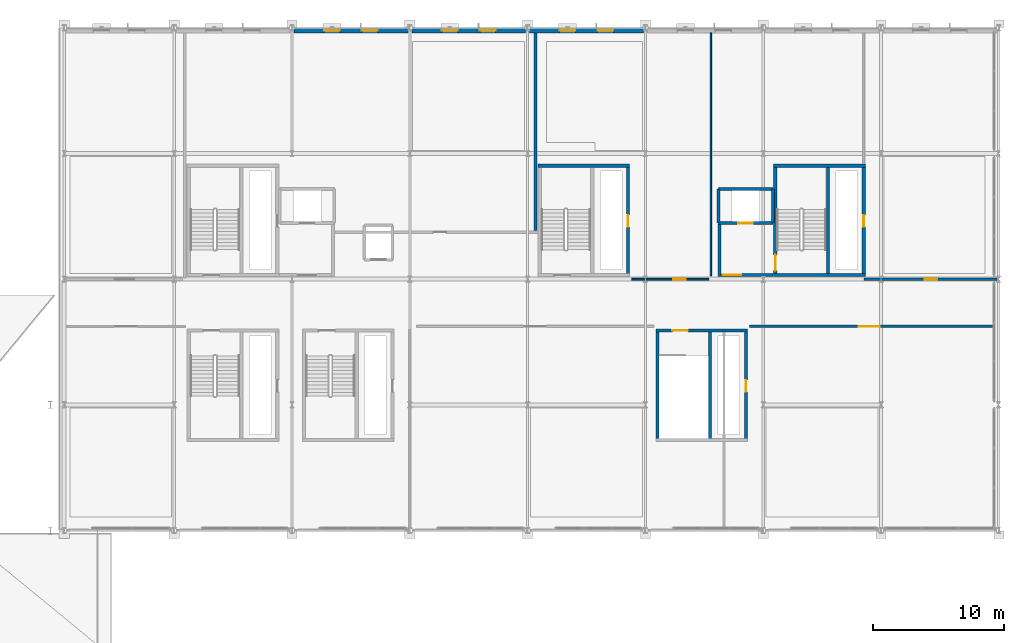
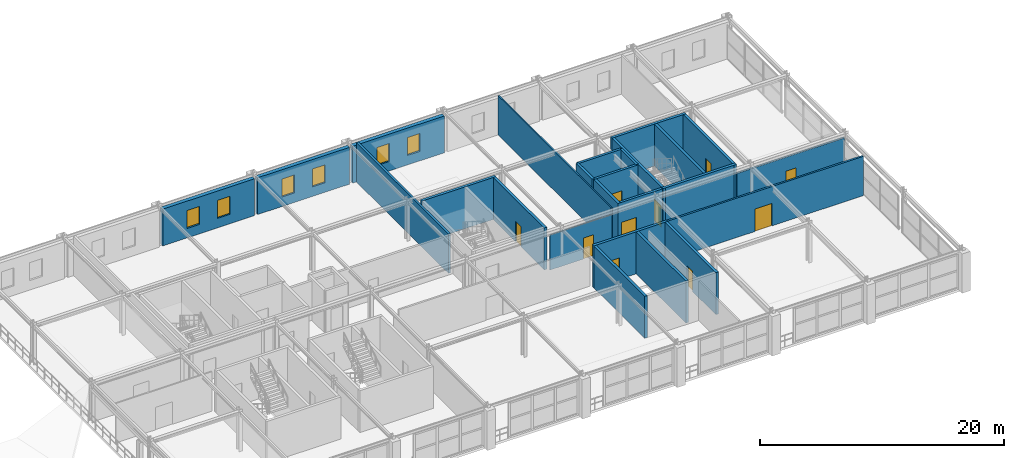
# One storey, part 52 of 81: 25 walls, 10 doors, 6 windows, 16 openings.
"""IFC4 building model written with IfcOpenShell, lengths in metres."""

import ifcopenshell
import ifcopenshell.guid

model = None  # the IFC model being written
_history = None  # IfcOwnerHistory: only IFC2X3 demands one
_inside = {}  # id of a spatial element -> (the spatial element, [elements in it])
_under = {}  # id of a project, library or spatial element -> (it, [spatial elements below it])
_declared = {}  # id of a project -> (the project, [libraries it declares])
_typed = {}  # id of a type object -> (the type object, [elements of that type])
_made_of = {}  # id of a material, layer set ... -> (it, [elements and type objects made of it])


def new_model(schema):
    """Start an empty IFC model of exactly this schema.

    Asked for "IFC4X3", IfcOpenShell would pick the latest addendum, in which some entities
    have other attributes; the version numbers below select the first issue.
    IFC2X3 requires an IfcOwnerHistory on every rooted entity: one is made here for all.
    """
    global model, _history
    if schema == "IFC4X3":
        model = ifcopenshell.file(schema_version=(4, 3, 0, 0))
    else:
        model = ifcopenshell.file(schema=schema)
    _inside.clear()
    _under.clear()
    _declared.clear()
    _typed.clear()
    _made_of.clear()
    _history = None
    if model.schema == "IFC2X3":
        org = make("IfcOrganization", Name="unknown")
        user = make(
            "IfcPersonAndOrganization",
            ThePerson=make("IfcPerson", FamilyName="unknown"),
            TheOrganization=org,
        )
        app = make(
            "IfcApplication",
            ApplicationDeveloper=org,
            Version="unknown",
            ApplicationFullName="unknown",
            ApplicationIdentifier="unknown",
        )
        _history = make(
            "IfcOwnerHistory",
            OwningUser=user,
            OwningApplication=app,
            ChangeAction="ADDED",
            CreationDate=0,
        )
    return model


def make(cls, **values):
    """One entity of the class cls with the attributes given. An attribute that is None is left unset."""
    return model.create_entity(
        cls, **{name: value for name, value in values.items() if value is not None}
    )


def rooted(cls, **values):
    """An entity with a GlobalId (a new one), such as an element, a storey or a relation."""
    return make(cls, GlobalId=ifcopenshell.guid.new(), OwnerHistory=_history, **values)


def si_unit(unit_type, name, prefix=None):
    """IfcSIUnit, for example si_unit("LENGTHUNIT", "METRE", prefix="MILLI")."""
    return make("IfcSIUnit", UnitType=unit_type, Prefix=prefix, Name=name)


def assignment(units):
    """IfcUnitAssignment: the units of a project."""
    return None if units is None else make("IfcUnitAssignment", Units=units)


def point(xyz):
    """IfcCartesianPoint."""
    return None if xyz is None else make("IfcCartesianPoint", Coordinates=xyz)


def direction(xyz):
    """IfcDirection."""
    return None if xyz is None else make("IfcDirection", DirectionRatios=xyz)


def frame(location, z_axis=None, x_axis=None):
    """IfcAxis2Placement3D, a coordinate frame: its origin and axes. An axis left out is left unset."""
    return make(
        "IfcAxis2Placement3D",
        Location=point(location),
        Axis=direction(z_axis),
        RefDirection=direction(x_axis),
    )


def frame_2d(location, x_axis=None):
    """IfcAxis2Placement2D, a coordinate frame in the plane: its origin and x axis."""
    return make(
        "IfcAxis2Placement2D", Location=point(location), RefDirection=direction(x_axis)
    )


def origin():
    """The frame at (0, 0, 0) with its axes left unset."""
    return frame((0.0, 0.0, 0.0))


def place(relative_to, where):
    """IfcLocalPlacement: puts the frame where relative to a parent placement (None: the world)."""
    return make(
        "IfcLocalPlacement", PlacementRelTo=relative_to, RelativePlacement=where
    )


def context(
    kind, dimensions, precision=None, world=None, true_north=None, identifier=None
):
    """IfcGeometricRepresentationContext, for example the 3D "Model" context."""
    return make(
        "IfcGeometricRepresentationContext",
        ContextIdentifier=identifier,
        ContextType=kind,
        CoordinateSpaceDimension=dimensions,
        Precision=precision,
        WorldCoordinateSystem=world,
        TrueNorth=true_north,
    )


def subcontext(parent, identifier, kind, view, scale=None):
    """IfcGeometricRepresentationSubContext, for example "Body" below "Model"."""
    return make(
        "IfcGeometricRepresentationSubContext",
        ContextIdentifier=identifier,
        ContextType=kind,
        ParentContext=parent,
        TargetScale=scale,
        TargetView=view,
    )


def project(units=None, contexts=None):
    """IfcProject with its units and contexts."""
    return rooted(
        "IfcProject",
        Name="project",
        RepresentationContexts=contexts,
        UnitsInContext=assignment(units),
    )


def spatial(cls, under=None, at=None, **own):
    """A site, building, storey or space (cls), placed at a placement, below another one or the project."""
    s = rooted(cls, ObjectPlacement=at, **own)
    if under is not None:
        _under.setdefault(under.id(), (under, []))[1].append(s)
    return s


def profile(cls, at=None, kind="AREA", **sizes):
    """A parametric profile (cls). Its sizes go by their IFC names, for example OverallWidth=200.0."""
    return make(cls, ProfileType=kind, Position=at, **sizes)


def rectangle(**sizes):
    """IfcRectangleProfileDef."""
    return profile("IfcRectangleProfileDef", **sizes)


def extrude(swept, where, along, depth):
    """IfcExtrudedAreaSolid: the profile swept, set in the frame where, extruded along a direction by depth."""
    return make(
        "IfcExtrudedAreaSolid",
        SweptArea=swept,
        Position=where,
        ExtrudedDirection=direction(along),
        Depth=depth,
    )


def shape(context_of_items, identifier, shape_type, items):
    """IfcShapeRepresentation: the items that make up one representation, for example the "Body"."""
    return make(
        "IfcShapeRepresentation",
        ContextOfItems=context_of_items,
        RepresentationIdentifier=identifier,
        RepresentationType=shape_type,
        Items=items,
    )


def material(Name=None, Category=None):
    """IfcMaterial."""
    return make("IfcMaterial", Name=Name, Category=Category)


def layer(
    of_material, thickness, ventilated=None, Name=None, Category=None, Priority=None
):
    """IfcMaterialLayer: one layer of a wall or slab, of a material (None: an air gap)."""
    return make(
        "IfcMaterialLayer",
        Material=of_material,
        LayerThickness=thickness,
        IsVentilated=ventilated,
        Name=Name,
        Category=Category,
        Priority=Priority,
    )


def layer_set(layers, Name=None):
    """IfcMaterialLayerSet."""
    return make("IfcMaterialLayerSet", MaterialLayers=layers, LayerSetName=Name)


def made_of(thing, what):
    """Note that an element or type object is made of a material, layer set ...; save() writes the relation."""
    if what is not None:
        _made_of.setdefault(what.id(), (what, []))[1].append(thing)
    return thing


def type_object(cls, material=None, **own):
    """A type object (cls), such as IfcWallType, which elements share."""
    return made_of(rooted(cls, **own), material)


def element(
    cls,
    number,
    at=None,
    inside=None,
    cuts=None,
    type_object=None,
    material=None,
    context=None,
    identifier="Body",
    shape_type=None,
    held_by="IfcProductDefinitionShape",
    body=None,
    shapes=None,
    **own,
):
    """One element of the class cls, such as IfcWall. Its Tag is "e" and its number.

    at: its placement. inside: the storey or other place that contains it. cuts: it is an
    opening in that element (IfcRelVoidsElement). A single representation is given by context,
    identifier, shape_type and body (its items); several are given by shapes. held_by: the class
    of the entity that holds the representations. save() writes the other relations.
    """
    e = rooted(cls, Tag="e%d" % number, ObjectPlacement=at, **own)
    if body is not None:
        shapes = [shape(context, identifier, shape_type, body)]
    if shapes is not None:
        e.Representation = make(held_by, Representations=shapes)
    if inside is not None:
        _inside.setdefault(inside.id(), (inside, []))[1].append(e)
    if cuts is not None:
        rooted(
            "IfcRelVoidsElement", RelatingBuildingElement=cuts, RelatedOpeningElement=e
        )
    if type_object is not None:
        _typed.setdefault(type_object.id(), (type_object, []))[1].append(e)
    return made_of(e, material)


def fill(opening, filler):
    """IfcRelFillsElement: the door or window that sits in an opening."""
    return rooted(
        "IfcRelFillsElement",
        RelatingOpeningElement=opening,
        RelatedBuildingElement=filler,
    )


def aggregate(whole, parts):
    """IfcRelAggregates: a whole, such as a stair, and the parts it consists of."""
    return rooted("IfcRelAggregates", RelatingObject=whole, RelatedObjects=parts)


def save(model, path):
    """Write the relations noted so far, then the file.

    IfcRelAggregates (storeys below a building ...), IfcRelContainedInSpatialStructure (elements
    in a storey), IfcRelDefinesByType, IfcRelAssociatesMaterial and IfcRelDeclares: one each for
    every whole, place, type object, material and project.
    """
    for whole, parts in _under.values():
        aggregate(whole, parts)
    for where, things in _inside.values():
        rooted(
            "IfcRelContainedInSpatialStructure",
            RelatedElements=things,
            RelatingStructure=where,
        )
    for kind, things in _typed.values():
        rooted("IfcRelDefinesByType", RelatedObjects=things, RelatingType=kind)
    for what, things in _made_of.values():
        rooted("IfcRelAssociatesMaterial", RelatedObjects=things, RelatingMaterial=what)
    for by, libraries in _declared.values():
        rooted("IfcRelDeclares", RelatingContext=by, RelatedDefinitions=libraries)
    model.write(path)


model = new_model("IFC4")

# Units and contexts
model_context = context("Model", 3, precision=1e-05, world=origin(), true_north=direction((0.0, 1.0)))
body_context = subcontext(model_context, "Body", "Model", "MODEL_VIEW")
ifc_project = project(units=[si_unit("LENGTHUNIT", "METRE"), si_unit("AREAUNIT", "SQUARE_METRE"), si_unit("VOLUMEUNIT", "CUBIC_METRE"), si_unit("PLANEANGLEUNIT", "RADIAN"), si_unit("MASSUNIT", "GRAM", prefix="KILO")], contexts=[model_context])

# Site, building, storey
site_placement = place(None, origin())
site = spatial("IfcSite", under=ifc_project, at=site_placement, CompositionType="ELEMENT")
building_placement = place(site_placement, origin())
building = spatial("IfcBuilding", under=site, at=building_placement, Name="Myrtia Square Station", CompositionType="ELEMENT")
storey_placement = place(building_placement, frame((0.0, 0.0, 10.800048828125)))
storey = spatial("IfcBuildingStorey", under=building, at=storey_placement, Name="L02", CompositionType="ELEMENT", Elevation=10.800048828125)

# Walls
ifc_material_1 = material(Name="Concrete C35/45", Category="concrete")
ifc_layer_1 = layer(ifc_material_1, 0.25, Name="Concrete C35/45")
ifc_layer_set_1 = layer_set([ifc_layer_1], Name="Concrete C35/45")
wall_type_1 = type_object("IfcWallType", Name="WL-CORE-250", PredefinedType="SHEAR", material=ifc_layer_set_1)
for number, where, z_axis, x_axis, name in (
    (1, (171.800048828125, 105.925048828125, 0.0), (0.0, 0.0, 1.0), (1.0, 0.0, 0.0), "Core K8 shear wall L02 S"),
    (2, (171.800048828125, 114.27490234375, 0.0), (0.0, 0.0, 1.0), (1.0, 0.0, 0.0), "Core K8 shear wall L02 N"),
):
    element("IfcWall", number, at=place(storey_placement, frame(where, z_axis=z_axis, x_axis=x_axis)), inside=storey, type_object=wall_type_1, Name=name, PredefinedType="SHEAR", context=body_context, shape_type="SweptSolid", body=[
        extrude(rectangle(XDim=7.0, YDim=0.25, at=frame_2d((3.5, 0.0))), origin(), (0.0, 0.0, 1.0), 4.199951171875),
    ])

# Wall, opening, door
wall_1_placement = place(storey_placement, frame((171.925048828125, 105.800048828125, 0.0), z_axis=(0.0, 0.0, 1.0), x_axis=(0.0, 1.0, 0.0)))
wall_1 = element("IfcWall", 3, at=wall_1_placement, inside=storey, type_object=wall_type_1, Name="Core K8 shear wall L02 W", PredefinedType="SHEAR", context=body_context, shape_type="SweptSolid", body=[
    extrude(rectangle(XDim=8.599853515625, YDim=0.25, at=frame_2d((4.2998046875, 0.0))), origin(), (0.0, 0.0, 1.0), 4.199951171875),
])
opening_1_placement = place(wall_1_placement, frame((0.449951171875, 0.0, 0.0)))
opening_1 = element("IfcOpeningElement", 4, at=opening_1_placement, cuts=wall_1, Name="Opening SD-134", PredefinedType="OPENING", context=body_context, shape_type="SweptSolid", body=[
    extrude(rectangle(XDim=1.199951171875, YDim=2.14990234375, at=frame_2d((0.60009765625, 1.074951171875))), frame((0.0, 0.139892578125, 0.0), z_axis=(0.0, -1.0, 0.0), x_axis=(1.0, 0.0, 0.0)), (0.0, 0.0, 1.0), 0.280029296875),
])
ifc_material_2 = material(Name="Dark bronze anodised aluminium", Category="aluminium")
door_type_1 = type_object("IfcDoorType", Name="DR-STAIR-1200x2150", OperationType="NOTDEFINED", PredefinedType="DOOR", material=ifc_material_2)
door_1_placement = place(opening_1_placement, frame((1.199951171875, 0.0, 0.0), z_axis=(0.0, 0.0, 1.0), x_axis=(-1.0, 0.0, 0.0)))
door_1 = element("IfcDoor", 5, at=door_1_placement, inside=storey, type_object=door_type_1, Name="Protected stair fire door K8 L02", OperationType="SINGLE_SWING_RIGHT", OverallHeight=2.14990234375, OverallWidth=1.199951171875, PredefinedType="DOOR", context=body_context, shape_type="SweptSolid", body=[
    extrude(rectangle(XDim=1.199951171875, YDim=2.14990234375, at=frame_2d((0.60009765625, 1.074951171875))), frame((0.0, 0.02490234375, 0.0), z_axis=(0.0, -1.0, 0.0), x_axis=(1.0, 0.0, 0.0)), (0.0, 0.0, 1.0), 0.050048828125),
])
fill(opening_1, door_1)

wall_2_placement = place(storey_placement, frame((178.675048828125, 105.800048828125, 0.0), z_axis=(0.0, 0.0, 1.0), x_axis=(0.0, 1.0, 0.0)))
wall_2 = element("IfcWall", 6, at=wall_2_placement, inside=storey, type_object=wall_type_1, Name="Core K8 shear wall L02 E", PredefinedType="SHEAR", context=body_context, shape_type="SweptSolid", body=[
    extrude(rectangle(XDim=8.599853515625, YDim=0.25, at=frame_2d((4.2998046875, 0.0))), origin(), (0.0, 0.0, 1.0), 4.199951171875),
])
opening_2_placement = place(wall_2_placement, frame((3.800048828125, 0.0, 0.0)))
opening_2 = element("IfcOpeningElement", 7, at=opening_2_placement, cuts=wall_2, Name="Opening RD-135", PredefinedType="OPENING", context=body_context, shape_type="SweptSolid", body=[
    extrude(rectangle(XDim=0.89990234375, YDim=2.050048828125, at=frame_2d((0.449951171875, 1.02490234375))), frame((0.0, 0.139892578125, 0.0), z_axis=(0.0, -1.0, 0.0), x_axis=(1.0, 0.0, 0.0)), (0.0, 0.0, 1.0), 0.280029296875),
])
door_type_2 = type_object("IfcDoorType", Name="DR-RISER-900x2050", OperationType="NOTDEFINED", PredefinedType="DOOR", material=ifc_material_2)
door_2_placement = place(opening_2_placement, origin())
door_2 = element("IfcDoor", 8, at=door_2_placement, inside=storey, type_object=door_type_2, Name="Riser cupboard access door K8 L02", OperationType="SINGLE_SWING_LEFT", OverallHeight=2.050048828125, OverallWidth=0.89990234375, PredefinedType="DOOR", context=body_context, shape_type="SweptSolid", body=[
    extrude(rectangle(XDim=0.89990234375, YDim=2.050048828125, at=frame_2d((0.449951171875, 1.02490234375))), frame((0.0, 0.02490234375, 0.0), z_axis=(0.0, -1.0, 0.0), x_axis=(1.0, 0.0, 0.0)), (0.0, 0.0, 1.0), 0.050048828125),
])
fill(opening_2, door_2)

# Walls
wall_3_placement = place(storey_placement, frame((175.93994140625, 106.0, 0.0), z_axis=(0.0, 0.0, 1.0), x_axis=(0.0, 1.0, 0.0)))
element("IfcWall", 9, at=wall_3_placement, inside=storey, type_object=wall_type_1, Name="Core K8 shear wall L02 D", PredefinedType="SHEAR", context=body_context, shape_type="SweptSolid", body=[
    extrude(rectangle(XDim=8.199951171875, YDim=0.25, at=frame_2d((4.10009765625, 0.0))), origin(), (0.0, 0.0, 1.0), 4.199951171875),
])
wall_4_placement = place(storey_placement, frame((153.800048828125, 114.27490234375, 0.0), z_axis=(0.0, 0.0, 1.0), x_axis=(1.0, 0.0, 0.0)))
element("IfcWall", 10, at=wall_4_placement, inside=storey, type_object=wall_type_1, Name="Core K15 shear wall L02 N", PredefinedType="SHEAR", context=body_context, shape_type="SweptSolid", body=[
    extrude(rectangle(XDim=7.0, YDim=0.25, at=frame_2d((3.5, 0.0))), origin(), (0.0, 0.0, 1.0), 4.199951171875),
])

# Wall, opening, door
wall_5_placement = place(storey_placement, frame((160.675048828125, 105.800048828125, 0.0), z_axis=(0.0, 0.0, 1.0), x_axis=(0.0, 1.0, 0.0)))
wall_5 = element("IfcWall", 11, at=wall_5_placement, inside=storey, type_object=wall_type_1, Name="Core K15 shear wall L02 E", PredefinedType="SHEAR", context=body_context, shape_type="SweptSolid", body=[
    extrude(rectangle(XDim=8.599853515625, YDim=0.25, at=frame_2d((4.2998046875, 0.0))), origin(), (0.0, 0.0, 1.0), 4.199951171875),
])
opening_3_placement = place(wall_5_placement, frame((3.800048828125, 0.0, 0.0)))
opening_3 = element("IfcOpeningElement", 12, at=opening_3_placement, cuts=wall_5, Name="Opening RD-170", PredefinedType="OPENING", context=body_context, shape_type="SweptSolid", body=[
    extrude(rectangle(XDim=0.89990234375, YDim=2.050048828125, at=frame_2d((0.449951171875, 1.02490234375))), frame((0.0, 0.139892578125, 0.0), z_axis=(0.0, -1.0, 0.0), x_axis=(1.0, 0.0, 0.0)), (0.0, 0.0, 1.0), 0.280029296875),
])
door_3_placement = place(opening_3_placement, origin())
door_3 = element("IfcDoor", 13, at=door_3_placement, inside=storey, type_object=door_type_2, Name="Riser cupboard access door K15 L02", OperationType="SINGLE_SWING_RIGHT", OverallHeight=2.050048828125, OverallWidth=0.89990234375, PredefinedType="DOOR", context=body_context, shape_type="SweptSolid", body=[
    extrude(rectangle(XDim=0.89990234375, YDim=2.050048828125, at=frame_2d((0.449951171875, 1.02490234375))), frame((0.0, 0.02490234375, 0.0), z_axis=(0.0, -1.0, 0.0), x_axis=(1.0, 0.0, 0.0)), (0.0, 0.0, 1.0), 0.050048828125),
])
fill(opening_3, door_3)

wall_6_placement = place(storey_placement, frame((162.800048828125, 101.675048828125, 0.0), z_axis=(0.0, 0.0, 1.0), x_axis=(1.0, 0.0, 0.0)))
wall_6 = element("IfcWall", 14, at=wall_6_placement, inside=storey, type_object=wall_type_1, Name="Core K16 shear wall L02 N", PredefinedType="SHEAR", context=body_context, shape_type="SweptSolid", body=[
    extrude(rectangle(XDim=7.0, YDim=0.25, at=frame_2d((3.5, 0.0))), origin(), (0.0, 0.0, 1.0), 4.199951171875),
])
opening_4_placement = place(wall_6_placement, frame((1.25, 0.0, 0.0)))
opening_4 = element("IfcOpeningElement", 15, at=opening_4_placement, cuts=wall_6, Name="Opening SD-181", PredefinedType="OPENING", context=body_context, shape_type="SweptSolid", body=[
    extrude(rectangle(XDim=1.199951171875, YDim=2.14990234375, at=frame_2d((0.60009765625, 1.074951171875))), frame((0.0, 0.139892578125, 0.0), z_axis=(0.0, -1.0, 0.0), x_axis=(1.0, 0.0, 0.0)), (0.0, 0.0, 1.0), 0.280029296875),
])
door_4_placement = place(opening_4_placement, frame((1.199951171875, 0.0, 0.0), z_axis=(0.0, 0.0, 1.0), x_axis=(-1.0, 0.0, 0.0)))
door_4 = element("IfcDoor", 16, at=door_4_placement, inside=storey, type_object=door_type_1, Name="Protected stair fire door K16 L02", OperationType="SINGLE_SWING_LEFT", OverallHeight=2.14990234375, OverallWidth=1.199951171875, PredefinedType="DOOR", context=body_context, shape_type="SweptSolid", body=[
    extrude(rectangle(XDim=1.199951171875, YDim=2.14990234375, at=frame_2d((0.60009765625, 1.074951171875))), frame((0.0, 0.02490234375, 0.0), z_axis=(0.0, -1.0, 0.0), x_axis=(1.0, 0.0, 0.0)), (0.0, 0.0, 1.0), 0.050048828125),
])
fill(opening_4, door_4)

# Wall
wall_7_placement = place(storey_placement, frame((162.925048828125, 93.199951171875, 0.0), z_axis=(0.0, 0.0, 1.0), x_axis=(0.0, 1.0, 0.0)))
element("IfcWall", 17, at=wall_7_placement, inside=storey, type_object=wall_type_1, Name="Core K16 shear wall L02 W", PredefinedType="SHEAR", context=body_context, shape_type="SweptSolid", body=[
    extrude(rectangle(XDim=8.60009765625, YDim=0.25, at=frame_2d((4.300048828125, 0.0))), origin(), (0.0, 0.0, 1.0), 4.199951171875),
])

# Wall, opening, door
wall_8_placement = place(storey_placement, frame((169.675048828125, 93.199951171875, 0.0), z_axis=(0.0, 0.0, 1.0), x_axis=(0.0, 1.0, 0.0)))
wall_8 = element("IfcWall", 18, at=wall_8_placement, inside=storey, type_object=wall_type_1, Name="Core K16 shear wall L02 E", PredefinedType="SHEAR", context=body_context, shape_type="SweptSolid", body=[
    extrude(rectangle(XDim=8.60009765625, YDim=0.25, at=frame_2d((4.300048828125, 0.0))), origin(), (0.0, 0.0, 1.0), 4.199951171875),
])
opening_5_placement = place(wall_8_placement, frame((3.800048828125, 0.0, 0.0)))
opening_5 = element("IfcOpeningElement", 19, at=opening_5_placement, cuts=wall_8, Name="Opening RD-182", PredefinedType="OPENING", context=body_context, shape_type="SweptSolid", body=[
    extrude(rectangle(XDim=0.89990234375, YDim=2.050048828125, at=frame_2d((0.449951171875, 1.02490234375))), frame((0.0, 0.139892578125, 0.0), z_axis=(0.0, -1.0, 0.0), x_axis=(1.0, 0.0, 0.0)), (0.0, 0.0, 1.0), 0.280029296875),
])
door_5_placement = place(opening_5_placement, origin())
door_5 = element("IfcDoor", 20, at=door_5_placement, inside=storey, type_object=door_type_2, Name="Riser cupboard access door K16 L02", OperationType="SINGLE_SWING_RIGHT", OverallHeight=2.050048828125, OverallWidth=0.89990234375, PredefinedType="DOOR", context=body_context, shape_type="SweptSolid", body=[
    extrude(rectangle(XDim=0.89990234375, YDim=2.050048828125, at=frame_2d((0.449951171875, 1.02490234375))), frame((0.0, 0.02490234375, 0.0), z_axis=(0.0, -1.0, 0.0), x_axis=(1.0, 0.0, 0.0)), (0.0, 0.0, 1.0), 0.050048828125),
])
fill(opening_5, door_5)

# Wall
wall_9_placement = place(storey_placement, frame((166.93994140625, 93.39990234375, 0.0), z_axis=(0.0, 0.0, 1.0), x_axis=(0.0, 1.0, 0.0)))
element("IfcWall", 21, at=wall_9_placement, inside=storey, type_object=wall_type_1, Name="Core K16 shear wall L02 D", PredefinedType="SHEAR", context=body_context, shape_type="SweptSolid", body=[
    extrude(rectangle(XDim=8.2001953125, YDim=0.25, at=frame_2d((4.10009765625, 0.0))), origin(), (0.0, 0.0, 1.0), 4.199951171875),
])

# Wall, openings, windows
ifc_material_3 = material(Name="Cream lime stucco on clay brick masonry", Category="masonry")
ifc_layer_2 = layer(ifc_material_3, 0.360107421875, Name="Cream lime stucco on clay brick masonry")
ifc_layer_set_2 = layer_set([ifc_layer_2], Name="Cream lime stucco on clay brick masonry")
wall_type_2 = type_object("IfcWallType", Name="WL-EXT-STUCCO-360", PredefinedType="SOLIDWALL", material=ifc_layer_set_2)
wall_10_placement = place(storey_placement, frame((135.155029296875, 124.60009765625, 0.0), z_axis=(0.0, 0.0, 1.0), x_axis=(1.0, 0.0, 0.0)))
wall_10 = element("IfcWall", 22, at=wall_10_placement, inside=storey, type_object=wall_type_2, Name="Exterior envelope wall EW-L02-0122", PredefinedType="SOLIDWALL", context=body_context, shape_type="SweptSolid", body=[
    extrude(rectangle(XDim=8.68994140625, YDim=0.360107421875, at=frame_2d((4.344970703125, 0.0))), origin(), (0.0, 0.0, 1.0), 3.68994140625),
])
opening_6_placement = place(wall_10_placement, frame((2.297119140625, 0.0, 0.949951171875)))
opening_6 = element("IfcOpeningElement", 23, at=opening_6_placement, cuts=wall_10, Name="Opening WN-137", PredefinedType="OPENING", context=body_context, shape_type="SweptSolid", body=[
    extrude(rectangle(XDim=1.199951171875, YDim=1.800048828125, at=frame_2d((0.60009765625, 0.89990234375))), frame((0.0, 0.195068359375, 0.0), z_axis=(0.0, -1.0, 0.0), x_axis=(1.0, 0.0, 0.0)), (0.0, 0.0, 1.0), 0.39013671875),
])
opening_7_placement = place(wall_10_placement, frame((5.193115234375, 0.0, 0.949951171875)))
opening_7 = element("IfcOpeningElement", 24, at=opening_7_placement, cuts=wall_10, Name="Opening WN-138", PredefinedType="OPENING", context=body_context, shape_type="SweptSolid", body=[
    extrude(rectangle(XDim=1.199951171875, YDim=1.800048828125, at=frame_2d((0.60009765625, 0.89990234375))), frame((0.0, 0.195068359375, 0.0), z_axis=(0.0, -1.0, 0.0), x_axis=(1.0, 0.0, 0.0)), (0.0, 0.0, 1.0), 0.39013671875),
])
ifc_material_4 = material(Name="Tinted low-E solar control glass", Category="glass")
window_type = type_object("IfcWindowType", Name="WN-OPS-1200x1800", PartitioningType="SINGLE_PANEL", PredefinedType="WINDOW", material=ifc_material_4)
window_1_placement = place(opening_6_placement, origin())
window_1 = element("IfcWindow", 25, at=window_1_placement, inside=storey, type_object=window_type, Name="Window WN-137", OverallHeight=1.800048828125, OverallWidth=1.199951171875, PartitioningType="SINGLE_PANEL", PredefinedType="WINDOW", context=body_context, shape_type="SweptSolid", body=[
    extrude(rectangle(XDim=1.199951171875, YDim=1.800048828125, at=frame_2d((0.60009765625, 0.89990234375))), frame((0.0, 0.030029296875, 0.0), z_axis=(0.0, -1.0, 0.0), x_axis=(1.0, 0.0, 0.0)), (0.0, 0.0, 1.0), 0.06005859375),
])
fill(opening_6, window_1)
window_2_placement = place(opening_7_placement, origin())
window_2 = element("IfcWindow", 26, at=window_2_placement, inside=storey, type_object=window_type, Name="Window WN-138", OverallHeight=1.800048828125, OverallWidth=1.199951171875, PartitioningType="SINGLE_PANEL", PredefinedType="WINDOW", context=body_context, shape_type="SweptSolid", body=[
    extrude(rectangle(XDim=1.199951171875, YDim=1.800048828125, at=frame_2d((0.60009765625, 0.89990234375))), frame((0.0, 0.030029296875, 0.0), z_axis=(0.0, -1.0, 0.0), x_axis=(1.0, 0.0, 0.0)), (0.0, 0.0, 1.0), 0.06005859375),
])
fill(opening_7, window_2)

wall_11_placement = place(storey_placement, frame((144.155029296875, 124.60009765625, 0.0), z_axis=(0.0, 0.0, 1.0), x_axis=(1.0, 0.0, 0.0)))
wall_11 = element("IfcWall", 27, at=wall_11_placement, inside=storey, type_object=wall_type_2, Name="Exterior envelope wall EW-L02-0123", PredefinedType="SOLIDWALL", context=body_context, shape_type="SweptSolid", body=[
    extrude(rectangle(XDim=8.68994140625, YDim=0.360107421875, at=frame_2d((4.344970703125, 0.0))), origin(), (0.0, 0.0, 1.0), 3.68994140625),
])
opening_8_placement = place(wall_11_placement, frame((2.297119140625, 0.0, 0.949951171875)))
opening_8 = element("IfcOpeningElement", 28, at=opening_8_placement, cuts=wall_11, Name="Opening WN-139", PredefinedType="OPENING", context=body_context, shape_type="SweptSolid", body=[
    extrude(rectangle(XDim=1.199951171875, YDim=1.800048828125, at=frame_2d((0.60009765625, 0.89990234375))), frame((0.0, 0.195068359375, 0.0), z_axis=(0.0, -1.0, 0.0), x_axis=(1.0, 0.0, 0.0)), (0.0, 0.0, 1.0), 0.39013671875),
])
opening_9_placement = place(wall_11_placement, frame((5.193115234375, 0.0, 0.949951171875)))
opening_9 = element("IfcOpeningElement", 29, at=opening_9_placement, cuts=wall_11, Name="Opening WN-140", PredefinedType="OPENING", context=body_context, shape_type="SweptSolid", body=[
    extrude(rectangle(XDim=1.199951171875, YDim=1.800048828125, at=frame_2d((0.60009765625, 0.89990234375))), frame((0.0, 0.195068359375, 0.0), z_axis=(0.0, -1.0, 0.0), x_axis=(1.0, 0.0, 0.0)), (0.0, 0.0, 1.0), 0.39013671875),
])
window_3_placement = place(opening_8_placement, origin())
window_3 = element("IfcWindow", 30, at=window_3_placement, inside=storey, type_object=window_type, Name="Window WN-139", OverallHeight=1.800048828125, OverallWidth=1.199951171875, PartitioningType="SINGLE_PANEL", PredefinedType="WINDOW", context=body_context, shape_type="SweptSolid", body=[
    extrude(rectangle(XDim=1.199951171875, YDim=1.800048828125, at=frame_2d((0.60009765625, 0.89990234375))), frame((0.0, 0.030029296875, 0.0), z_axis=(0.0, -1.0, 0.0), x_axis=(1.0, 0.0, 0.0)), (0.0, 0.0, 1.0), 0.06005859375),
])
fill(opening_8, window_3)
window_4_placement = place(opening_9_placement, origin())
window_4 = element("IfcWindow", 31, at=window_4_placement, inside=storey, type_object=window_type, Name="Window WN-140", OverallHeight=1.800048828125, OverallWidth=1.199951171875, PartitioningType="SINGLE_PANEL", PredefinedType="WINDOW", context=body_context, shape_type="SweptSolid", body=[
    extrude(rectangle(XDim=1.199951171875, YDim=1.800048828125, at=frame_2d((0.60009765625, 0.89990234375))), frame((0.0, 0.030029296875, 0.0), z_axis=(0.0, -1.0, 0.0), x_axis=(1.0, 0.0, 0.0)), (0.0, 0.0, 1.0), 0.06005859375),
])
fill(opening_9, window_4)

wall_12_placement = place(storey_placement, frame((153.155029296875, 124.60009765625, 0.0), z_axis=(0.0, 0.0, 1.0), x_axis=(1.0, 0.0, 0.0)))
wall_12 = element("IfcWall", 32, at=wall_12_placement, inside=storey, type_object=wall_type_2, Name="Exterior envelope wall EW-L02-0124", PredefinedType="SOLIDWALL", context=body_context, shape_type="SweptSolid", body=[
    extrude(rectangle(XDim=8.68994140625, YDim=0.360107421875, at=frame_2d((4.344970703125, 0.0))), origin(), (0.0, 0.0, 1.0), 3.68994140625),
])
opening_10_placement = place(wall_12_placement, frame((2.297119140625, 0.0, 0.949951171875)))
opening_10 = element("IfcOpeningElement", 33, at=opening_10_placement, cuts=wall_12, Name="Opening WN-141", PredefinedType="OPENING", context=body_context, shape_type="SweptSolid", body=[
    extrude(rectangle(XDim=1.199951171875, YDim=1.800048828125, at=frame_2d((0.60009765625, 0.89990234375))), frame((0.0, 0.195068359375, 0.0), z_axis=(0.0, -1.0, 0.0), x_axis=(1.0, 0.0, 0.0)), (0.0, 0.0, 1.0), 0.39013671875),
])
opening_11_placement = place(wall_12_placement, frame((5.193115234375, 0.0, 0.949951171875)))
opening_11 = element("IfcOpeningElement", 34, at=opening_11_placement, cuts=wall_12, Name="Opening WN-142", PredefinedType="OPENING", context=body_context, shape_type="SweptSolid", body=[
    extrude(rectangle(XDim=1.199951171875, YDim=1.800048828125, at=frame_2d((0.60009765625, 0.89990234375))), frame((0.0, 0.195068359375, 0.0), z_axis=(0.0, -1.0, 0.0), x_axis=(1.0, 0.0, 0.0)), (0.0, 0.0, 1.0), 0.39013671875),
])
window_5_placement = place(opening_10_placement, origin())
window_5 = element("IfcWindow", 35, at=window_5_placement, inside=storey, type_object=window_type, Name="Window WN-141", OverallHeight=1.800048828125, OverallWidth=1.199951171875, PartitioningType="SINGLE_PANEL", PredefinedType="WINDOW", context=body_context, shape_type="SweptSolid", body=[
    extrude(rectangle(XDim=1.199951171875, YDim=1.800048828125, at=frame_2d((0.60009765625, 0.89990234375))), frame((0.0, 0.030029296875, 0.0), z_axis=(0.0, -1.0, 0.0), x_axis=(1.0, 0.0, 0.0)), (0.0, 0.0, 1.0), 0.06005859375),
])
fill(opening_10, window_5)
window_6_placement = place(opening_11_placement, origin())
window_6 = element("IfcWindow", 36, at=window_6_placement, inside=storey, type_object=window_type, Name="Window WN-142", OverallHeight=1.800048828125, OverallWidth=1.199951171875, PartitioningType="SINGLE_PANEL", PredefinedType="WINDOW", context=body_context, shape_type="SweptSolid", body=[
    extrude(rectangle(XDim=1.199951171875, YDim=1.800048828125, at=frame_2d((0.60009765625, 0.89990234375))), frame((0.0, 0.030029296875, 0.0), z_axis=(0.0, -1.0, 0.0), x_axis=(1.0, 0.0, 0.0)), (0.0, 0.0, 1.0), 0.06005859375),
])
fill(opening_11, window_6)

# Wall
ifc_layer_3 = layer(ifc_material_1, 0.239990234375, Name="Concrete C35/45")
ifc_layer_set_3 = layer_set([ifc_layer_3], Name="Concrete C35/45")
wall_type_3 = type_object("IfcWallType", Name="WL-FFL-240", PredefinedType="SHEAR", material=ifc_layer_set_3)
wall_13_placement = place(storey_placement, frame((167.669921875, 105.800048828125, 0.0), z_axis=(0.0, 0.0, 1.0), x_axis=(0.0, 1.0, 0.0)))
element("IfcWall", 37, at=wall_13_placement, inside=storey, type_object=wall_type_3, Name="Firefighting lift lobby EI 120 wall K8 L02 W", PredefinedType="SHEAR", context=body_context, shape_type="SweptSolid", body=[
    extrude(rectangle(XDim=4.0, YDim=0.239990234375, at=frame_2d((2.0, 0.0))), origin(), (0.0, 0.0, 1.0), 4.199951171875),
])

# Wall, opening, door
wall_14_placement = place(storey_placement, frame((167.550048828125, 105.919921875, 0.0), z_axis=(0.0, 0.0, 1.0), x_axis=(1.0, 0.0, 0.0)))
wall_14 = element("IfcWall", 38, at=wall_14_placement, inside=storey, type_object=wall_type_3, Name="Firefighting lift lobby EI 120 wall K8 L02 S", PredefinedType="SHEAR", context=body_context, shape_type="SweptSolid", body=[
    extrude(rectangle(XDim=4.199951171875, YDim=0.239990234375, at=frame_2d((2.10009765625, 0.0))), origin(), (0.0, 0.0, 1.0), 4.199951171875),
])
opening_12_placement = place(wall_14_placement, frame((0.35009765625, 0.0, 0.0)))
opening_12 = element("IfcOpeningElement", 39, at=opening_12_placement, cuts=wall_14, Name="Opening FD-136", PredefinedType="OPENING", context=body_context, shape_type="SweptSolid", body=[
    extrude(rectangle(XDim=1.39990234375, YDim=2.199951171875, at=frame_2d((0.699951171875, 1.10009765625))), frame((0.0, 0.135009765625, 0.0), z_axis=(0.0, -1.0, 0.0), x_axis=(1.0, 0.0, 0.0)), (0.0, 0.0, 1.0), 0.27001953125),
])
door_type_3 = type_object("IfcDoorType", Name="DR-FFL-1400x2200", OperationType="NOTDEFINED", PredefinedType="DOOR", material=ifc_material_2)
door_6_placement = place(opening_12_placement, frame((1.39990234375, 0.0, 0.0), z_axis=(0.0, 0.0, 1.0), x_axis=(-1.0, 0.0, 0.0)))
door_6 = element("IfcDoor", 40, at=door_6_placement, inside=storey, type_object=door_type_3, Name="Firefighting lobby fire door K8 L02", OperationType="SINGLE_SWING_RIGHT", OverallHeight=2.199951171875, OverallWidth=1.39990234375, PredefinedType="DOOR", context=body_context, shape_type="SweptSolid", body=[
    extrude(rectangle(XDim=1.39990234375, YDim=2.199951171875, at=frame_2d((0.699951171875, 1.10009765625))), frame((0.0, 0.02490234375, 0.0), z_axis=(0.0, -1.0, 0.0), x_axis=(1.0, 0.0, 0.0)), (0.0, 0.0, 1.0), 0.050048828125),
])
fill(opening_12, door_6)

ifc_layer_4 = layer(ifc_material_1, 0.219970703125, Name="Concrete C35/45")
ifc_layer_set_4 = layer_set([ifc_layer_4], Name="Concrete C35/45")
wall_type_4 = type_object("IfcWallType", Name="WL-LIFT-220", PredefinedType="SHEAR", material=ifc_layer_set_4)
wall_15_placement = place(storey_placement, frame((167.570068359375, 109.8798828125, 0.0), z_axis=(0.0, 0.0, 1.0), x_axis=(1.0, 0.0, 0.0)))
wall_15 = element("IfcWall", 41, at=wall_15_placement, inside=storey, type_object=wall_type_4, Name="Lift shaft wall FFL-04 L02 -Y", PredefinedType="SHEAR", context=body_context, shape_type="SweptSolid", body=[
    extrude(rectangle(XDim=4.159912109375, YDim=0.219970703125, at=frame_2d((2.080078125, 0.0))), origin(), (0.0, 0.0, 1.0), 4.199951171875),
])
opening_13_placement = place(wall_15_placement, frame((1.530029296875, 0.0, 0.0)))
opening_13 = element("IfcOpeningElement", 42, at=opening_13_placement, cuts=wall_15, Name="Opening LD-FFL-04", PredefinedType="OPENING", context=body_context, shape_type="SweptSolid", body=[
    extrude(rectangle(XDim=1.10009765625, YDim=2.14990234375, at=frame_2d((0.550048828125, 1.074951171875))), frame((0.0, 0.125, 0.0), z_axis=(0.0, -1.0, 0.0), x_axis=(1.0, 0.0, 0.0)), (0.0, 0.0, 1.0), 0.25),
])
door_type_4 = type_object("IfcDoorType", Name="DR-LIFT-1100x2150", OperationType="NOTDEFINED", PredefinedType="DOOR", material=ifc_material_2)
door_7_placement = place(opening_13_placement, origin())
door_7 = element("IfcDoor", 43, at=door_7_placement, inside=storey, type_object=door_type_4, Name="Lift landing door FFL-04 L02", OperationType="SLIDING_TO_LEFT", OverallHeight=2.14990234375, OverallWidth=1.10009765625, PredefinedType="DOOR", context=body_context, shape_type="SweptSolid", body=[
    extrude(rectangle(XDim=1.10009765625, YDim=2.14990234375, at=frame_2d((0.550048828125, 1.074951171875))), frame((0.0, 0.02490234375, 0.0), z_axis=(0.0, -1.0, 0.0), x_axis=(1.0, 0.0, 0.0)), (0.0, 0.0, 1.0), 0.050048828125),
])
fill(opening_13, door_7)

# Walls
wall_16_placement = place(storey_placement, frame((167.570068359375, 112.5, 0.0), z_axis=(0.0, 0.0, 1.0), x_axis=(1.0, 0.0, 0.0)))
element("IfcWall", 44, at=wall_16_placement, inside=storey, type_object=wall_type_4, Name="Lift shaft wall FFL-04 L02 +Y", PredefinedType="SHEAR", context=body_context, shape_type="SweptSolid", body=[
    extrude(rectangle(XDim=4.159912109375, YDim=0.219970703125, at=frame_2d((2.080078125, 0.0))), origin(), (0.0, 0.0, 1.0), 4.199951171875),
])
for number, where, z_axis, x_axis, name in (
    (45, (167.570068359375, 109.8798828125, 0.0), (0.0, 0.0, 1.0), (0.0, 1.0, 0.0), "Lift shaft wall FFL-04 L02 -X"),
    (46, (171.72998046875, 109.8798828125, 0.0), (0.0, 0.0, 1.0), (0.0, 1.0, 0.0), "Lift shaft wall FFL-04 L02 +X"),
):
    element("IfcWall", number, at=place(storey_placement, frame(where, z_axis=z_axis, x_axis=x_axis)), inside=storey, type_object=wall_type_4, Name=name, PredefinedType="SHEAR", context=body_context, shape_type="SweptSolid", body=[
        extrude(rectangle(XDim=2.6201171875, YDim=0.219970703125, at=frame_2d((1.31005859375, 0.0))), origin(), (0.0, 0.0, 1.0), 4.199951171875),
    ])

# Wall, opening, door
ifc_material_5 = material(Name="Gypsum plasterboard")
ifc_layer_5 = layer(ifc_material_5, 0.125, Name="Gypsum plasterboard")
ifc_layer_set_5 = layer_set([ifc_layer_5], Name="Gypsum plasterboard")
wall_type_5 = type_object("IfcWallType", Name="WL-PART-125", PredefinedType="PARTITIONING", material=ifc_layer_set_5)
wall_17_placement = place(storey_placement, frame((160.9599609375, 105.60009765625, 0.0), z_axis=(0.0, 0.0, 1.0), x_axis=(1.0, 0.0, 0.0)))
wall_17 = element("IfcWall", 47, at=wall_17_placement, inside=storey, type_object=wall_type_5, Name="Interior partition wall L02-15", PredefinedType="PARTITIONING", context=body_context, shape_type="SweptSolid", body=[
    extrude(rectangle(XDim=5.89013671875, YDim=0.125, at=frame_2d((2.945068359375, 0.0))), origin(), (0.0, 0.0, 1.0), 3.5),
])
opening_14_placement = place(wall_17_placement, frame((3.169921875, 0.0, 0.0)))
opening_14 = element("IfcOpeningElement", 48, at=opening_14_placement, cuts=wall_17, Name="Opening D-265", PredefinedType="OPENING", context=body_context, shape_type="SweptSolid", body=[
    extrude(rectangle(XDim=0.949951171875, YDim=2.10009765625, at=frame_2d((0.47509765625, 1.050048828125))), frame((0.0, 0.077392578125, 0.0), z_axis=(0.0, -1.0, 0.0), x_axis=(1.0, 0.0, 0.0)), (0.0, 0.0, 1.0), 0.155029296875),
])
ifc_material_6 = material(Name="Acoustic European oak timber", Category="wood")
door_type_5 = type_object("IfcDoorType", Name="DR-WC-950x2100", OperationType="NOTDEFINED", PredefinedType="DOOR", material=ifc_material_6)
door_8_placement = place(opening_14_placement, frame((0.949951171875, 0.0, 0.0), z_axis=(0.0, 0.0, 1.0), x_axis=(-1.0, 0.0, 0.0)))
door_8 = element("IfcDoor", 49, at=door_8_placement, inside=storey, type_object=door_type_5, Name="Train Crew Locker and Shower Suite East door D-265", OperationType="SINGLE_SWING_RIGHT", OverallHeight=2.10009765625, OverallWidth=0.949951171875, PredefinedType="DOOR", context=body_context, shape_type="SweptSolid", body=[
    extrude(rectangle(XDim=0.949951171875, YDim=2.10009765625, at=frame_2d((0.47509765625, 1.050048828125))), frame((0.0, 0.02490234375, 0.0), z_axis=(0.0, -1.0, 0.0), x_axis=(1.0, 0.0, 0.0)), (0.0, 0.0, 1.0), 0.050048828125),
])
fill(opening_14, door_8)

# Wall
wall_18_placement = place(storey_placement, frame((167.0, 105.85009765625, 0.0), z_axis=(0.0, 0.0, 1.0), x_axis=(0.0, 1.0, 0.0)))
element("IfcWall", 50, at=wall_18_placement, inside=storey, type_object=wall_type_5, Name="Room divider partition L02-15", PredefinedType="PARTITIONING", context=body_context, shape_type="SweptSolid", body=[
    extrude(rectangle(XDim=18.56494140625, YDim=0.125, at=frame_2d((9.282470703125, 0.0))), origin(), (0.0, 0.0, 1.0), 3.93994140625),
])

# Wall, opening, door
ifc_layer_6 = layer(ifc_material_3, 0.175048828125, Name="Cream lime stucco on clay brick masonry")
ifc_layer_set_6 = layer_set([ifc_layer_6], Name="Cream lime stucco on clay brick masonry")
wall_type_6 = type_object("IfcWallType", Name="WL-PART-175", PredefinedType="PARTITIONING", material=ifc_layer_set_6)
wall_19_placement = place(storey_placement, frame((169.9599609375, 102.0, 0.0), z_axis=(0.0, 0.0, 1.0), x_axis=(1.0, 0.0, 0.0)))
wall_19 = element("IfcWall", 51, at=wall_19_placement, inside=storey, type_object=wall_type_6, Name="Interior partition wall L02-13", PredefinedType="PARTITIONING", context=body_context, shape_type="SweptSolid", body=[
    extrude(rectangle(XDim=18.60498046875, YDim=0.175048828125, at=frame_2d((9.302490234375, 0.0))), origin(), (0.0, 0.0, 1.0), 3.93994140625),
])
opening_15_placement = place(wall_19_placement, frame((8.344970703125, 0.0, 0.0)))
opening_15 = element("IfcOpeningElement", 52, at=opening_15_placement, cuts=wall_19, Name="Opening D-263", PredefinedType="OPENING", context=body_context, shape_type="SweptSolid", body=[
    extrude(rectangle(XDim=1.60009765625, YDim=2.25, at=frame_2d((0.800048828125, 1.125))), frame((0.0, 0.1025390625, 0.0), z_axis=(0.0, -1.0, 0.0), x_axis=(1.0, 0.0, 0.0)), (0.0, 0.0, 1.0), 0.205078125),
])
door_type_6 = type_object("IfcDoorType", Name="DR-CORR-1600x2250", OperationType="NOTDEFINED", PredefinedType="DOOR", material=ifc_material_2)
door_9_placement = place(opening_15_placement, origin())
door_9 = element("IfcDoor", 53, at=door_9_placement, inside=storey, type_object=door_type_6, Name="Crew Roster and Briefing Seminar Room door D-263", OperationType="DOUBLE_DOOR_SINGLE_SWING", OverallHeight=2.25, OverallWidth=1.60009765625, PredefinedType="DOOR", context=body_context, shape_type="SweptSolid", body=[
    extrude(rectangle(XDim=1.60009765625, YDim=2.25, at=frame_2d((0.800048828125, 1.125))), frame((0.0, 0.02490234375, 0.0), z_axis=(0.0, -1.0, 0.0), x_axis=(1.0, 0.0, 0.0)), (0.0, 0.0, 1.0), 0.050048828125),
])
fill(opening_15, door_9)

wall_20_placement = place(storey_placement, frame((178.679931640625, 105.60009765625, 0.0), z_axis=(0.0, 0.0, 1.0), x_axis=(1.0, 0.0, 0.0)))
wall_20 = element("IfcWall", 54, at=wall_20_placement, inside=storey, type_object=wall_type_6, Name="Interior partition wall L02-17", PredefinedType="PARTITIONING", context=body_context, shape_type="SweptSolid", body=[
    extrude(rectangle(XDim=10.1650390625, YDim=0.175048828125, at=frame_2d((5.08251953125, 0.0))), origin(), (0.0, 0.0, 1.0), 3.5),
])
opening_16_placement = place(wall_20_placement, frame((4.64501953125, 0.0, 0.0)))
opening_16 = element("IfcOpeningElement", 55, at=opening_16_placement, cuts=wall_20, Name="Opening D-267", PredefinedType="OPENING", context=body_context, shape_type="SweptSolid", body=[
    extrude(rectangle(XDim=0.949951171875, YDim=2.10009765625, at=frame_2d((0.47509765625, 1.050048828125))), frame((0.0, 0.1025390625, 0.0), z_axis=(0.0, -1.0, 0.0), x_axis=(1.0, 0.0, 0.0)), (0.0, 0.0, 1.0), 0.205078125),
])
door_10_placement = place(opening_16_placement, frame((0.949951171875, 0.0, 0.0), z_axis=(0.0, 0.0, 1.0), x_axis=(-1.0, 0.0, 0.0)))
door_10 = element("IfcDoor", 56, at=door_10_placement, inside=storey, type_object=door_type_5, Name="Crew Accessible Sanitary WC door D-267", OperationType="SINGLE_SWING_RIGHT", OverallHeight=2.10009765625, OverallWidth=0.949951171875, PredefinedType="DOOR", context=body_context, shape_type="SweptSolid", body=[
    extrude(rectangle(XDim=0.949951171875, YDim=2.10009765625, at=frame_2d((0.47509765625, 1.050048828125))), frame((0.0, 0.02490234375, 0.0), z_axis=(0.0, -1.0, 0.0), x_axis=(1.0, 0.0, 0.0)), (0.0, 0.0, 1.0), 0.050048828125),
])
fill(opening_16, door_10)

# Wall
ifc_layer_7 = layer(ifc_material_3, 0.199951171875, Name="Cream lime stucco on clay brick masonry")
ifc_layer_set_7 = layer_set([ifc_layer_7], Name="Cream lime stucco on clay brick masonry")
wall_type_7 = type_object("IfcWallType", Name="WL-PART-200", PredefinedType="PARTITIONING", material=ifc_layer_set_7)
wall_21_placement = place(storey_placement, frame((153.60009765625, 109.304931640625, 0.0), z_axis=(0.0, 0.0, 1.0), x_axis=(0.0, 1.0, 0.0)))
element("IfcWall", 57, at=wall_21_placement, inside=storey, type_object=wall_type_7, Name="Room divider partition L02-14", PredefinedType="PARTITIONING", context=body_context, shape_type="SweptSolid", body=[
    extrude(rectangle(XDim=15.110107421875, YDim=0.199951171875, at=frame_2d((7.55517578125, 0.0))), origin(), (0.0, 0.0, 1.0), 3.93994140625),
])

save(model, "model.ifc")
